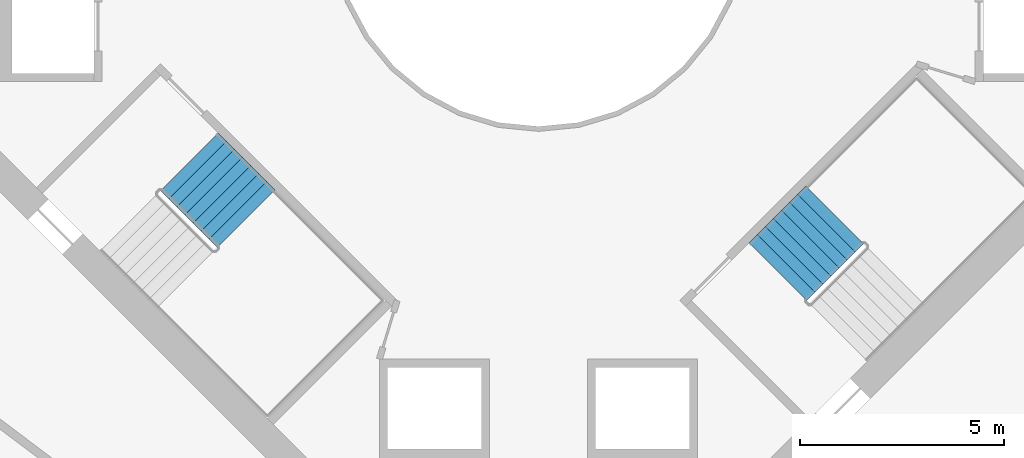
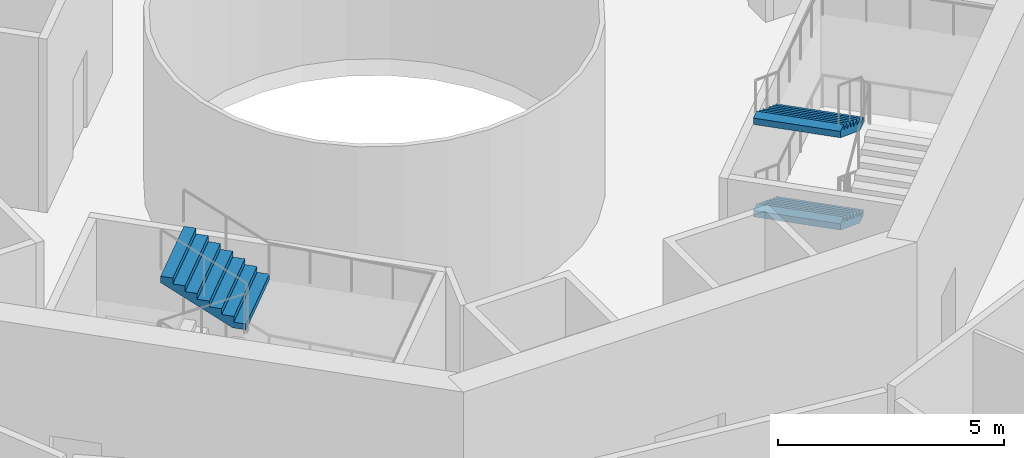
# One storey, part 13 of 17: 3 stair flights, 2 elements without a shape of their own.
"""IFC4 building model written with IfcOpenShell, lengths in metres."""

from ifc_helpers import new_model, si_unit, direction, frame, origin, place, context, subcontext, project, spatial, triangles, material, type_object, element, aggregate, save


model = new_model("IFC4")

# Units and contexts
model_context = context("Model", 3, precision=1e-05, world=origin(), true_north=direction((0.0, 1.0)))
body_context = subcontext(model_context, "Body", "Model", "MODEL_VIEW")
ifc_project = project(units=[si_unit("LENGTHUNIT", "METRE"), si_unit("AREAUNIT", "SQUARE_METRE"), si_unit("VOLUMEUNIT", "CUBIC_METRE"), si_unit("PLANEANGLEUNIT", "RADIAN"), si_unit("MASSUNIT", "GRAM", prefix="KILO")], contexts=[model_context])

# Site, building, storey
site_placement = place(None, origin())
site = spatial("IfcSite", under=ifc_project, at=site_placement, CompositionType="ELEMENT")
building_placement = place(site_placement, origin())
building = spatial("IfcBuilding", under=site, at=building_placement, Name="Verdalira Terraces Hotel", CompositionType="ELEMENT")
storey_placement = place(building_placement, frame((0.0, 0.0, 128.0)))
storey = spatial("IfcBuildingStorey", under=building, at=storey_placement, Name="L30", CompositionType="ELEMENT", Elevation=128.0)

# Stair, stair flight
ifc_material_1 = material(Name="Concrete C40", Category="concrete")
stair_type = type_object("IfcStairType", Name="Core stair 32 risers 2000 mm wide", PredefinedType="HALF_TURN_STAIR", material=ifc_material_1)
stair_1_placement = place(storey_placement, origin())
stair_1 = element("IfcStair", 1, at=stair_1_placement, inside=storey, type_object=stair_type, Name="L30 Exit stair ST2", PredefinedType="HALF_TURN_STAIR")
ifc_material_2 = material(Name="Concrete C40", Category="concrete")
stair_flight_type = type_object("IfcStairFlightType", Name="Core stair flight 32 risers 2000 mm wide", PredefinedType="STRAIGHT", material=ifc_material_2)
stair_flight_1_placement = place(storey_placement, frame((-7.170166, -7.254883, 3.75), z_axis=(0.0, 0.0, 1.0), x_axis=(-0.707106781, 0.707106781, 0.0)))
stair_flight_1 = element("IfcStairFlight", 2, at=stair_flight_1_placement, type_object=stair_flight_type, Name="ST2 flight 4", NumberOfRisers=8, NumberOfTreads=7, PredefinedType="STRAIGHT", RiserHeight=0.15625, TreadLength=0.28, context=body_context, shape_type="Tessellation", body=[
    triangles([(0.0, 1.0, 0.0), (0.307617, 1.0, 0.0), (1.959961, 1.0, 0.922119), (0.0, -1.0, 0.0), (0.307617, -1.0, 0.0), (1.959961, -1.0, 0.922119), (1.959961, 1.0, 1.09375), (1.679932, 1.0, 1.09375), (1.959961, -1.0, 1.09375), (1.679932, -1.0, 1.09375), (1.679932, 1.0, 0.9375), (1.679932, -1.0, 0.9375), (1.399902, 1.0, 0.9375), (1.399902, -1.0, 0.9375), (1.399902, 1.0, 0.78125), (1.399902, -1.0, 0.78125), (1.120117, 1.0, 0.78125), (1.120117, 1.0, 0.625), (1.120117, -1.0, 0.78125), (1.120117, -1.0, 0.625), (0.840088, 1.0, 0.625), (0.840088, 1.0, 0.46875), (0.840088, -1.0, 0.625), (0.840088, -1.0, 0.46875), (0.560059, 1.0, 0.46875), (0.560059, 1.0, 0.3125), (0.560059, -1.0, 0.46875), (0.560059, -1.0, 0.3125), (0.280029, 1.0, 0.3125), (0.280029, 1.0, 0.15625), (0.280029, -1.0, 0.3125), (0.280029, -1.0, 0.15625), (0.0, 1.0, 0.15625), (0.0, -1.0, 0.15625), (0.0, -0.9375, 0.0), (0.0, -0.9375, 0.15625), (0.0, -0.875, 0.0), (0.0, -0.875, 0.15625), (0.0, -0.8125, 0.0), (0.0, -0.8125, 0.15625), (0.0, -0.75, 0.0), (0.0, -0.75, 0.15625), (0.0, -0.6875, 0.0), (0.0, -0.6875, 0.15625), (0.0, -0.625, 0.0), (0.0, -0.625, 0.15625), (0.0, -0.5625, 0.0), (0.0, -0.5625, 0.15625), (0.0, -0.5, 0.0), (0.0, -0.5, 0.15625), (0.0, -0.4375, 0.0), (0.0, -0.4375, 0.15625), (0.0, -0.375, 0.0), (0.0, -0.375, 0.15625), (0.0, -0.3125, 0.0), (0.0, -0.3125, 0.15625), (0.0, -0.25, 0.0), (0.0, -0.25, 0.15625), (0.0, -0.1875, 0.0), (0.0, -0.1875, 0.15625), (0.0, -0.125, 0.0), (0.0, -0.125, 0.15625), (0.0, -0.0625, 0.0), (0.0, -0.0625, 0.15625), (0.0, 0.0, 0.0), (0.0, 0.0, 0.15625), (0.0, 0.0625, 0.0), (0.0, 0.0625, 0.15625), (0.0, 0.125, 0.0), (0.0, 0.125, 0.15625), (0.0, 0.1875, 0.0), (0.0, 0.1875, 0.15625), (0.0, 0.25, 0.0), (0.0, 0.25, 0.15625), (0.0, 0.3125, 0.0), (0.0, 0.3125, 0.15625), (0.0, 0.375, 0.0), (0.0, 0.375, 0.15625), (0.0, 0.4375, 0.0), (0.0, 0.4375, 0.15625), (0.0, 0.5, 0.0), (0.0, 0.5, 0.15625), (0.0, 0.5625, 0.0), (0.0, 0.5625, 0.15625), (0.0, 0.625, 0.0), (0.0, 0.625, 0.15625), (0.0, 0.6875, 0.0), (0.0, 0.6875, 0.15625), (0.0, 0.75, 0.0), (0.0, 0.75, 0.15625), (0.0, 0.8125, 0.0), (0.0, 0.8125, 0.15625), (0.0, 0.875, 0.0), (0.0, 0.875, 0.15625), (0.0, 0.9375, 0.0), (0.0, 0.9375, 0.15625), (1.959961, -0.9375, 1.09375), (1.959961, -0.875, 1.09375), (1.959961, -0.8125, 1.09375), (1.959961, -0.75, 1.09375), (1.959961, -0.6875, 1.09375), (1.959961, -0.625, 1.09375), (1.959961, -0.5625, 1.09375), (1.959961, -0.5, 1.09375), (1.959961, -0.4375, 1.09375), (1.959961, -0.375, 1.09375), (1.959961, -0.3125, 1.09375), (1.959961, -0.25, 1.09375), (1.959961, -0.1875, 1.09375), (1.959961, -0.125, 1.09375), (1.959961, -0.0625, 1.09375), (1.959961, 0.0, 1.09375), (1.959961, 0.0625, 1.09375), (1.959961, 0.125, 1.09375), (1.959961, 0.1875, 1.09375), (1.959961, 0.25, 1.09375), (1.959961, 0.3125, 1.09375), (1.959961, 0.375, 1.09375), (1.959961, 0.4375, 1.09375), (1.959961, 0.5, 1.09375), (1.959961, 0.5625, 1.09375), (1.959961, 0.625, 1.09375), (1.959961, 0.6875, 1.09375), (1.959961, 0.75, 1.09375), (1.959961, 0.8125, 1.09375), (1.959961, 0.875, 1.09375), (1.959961, 0.9375, 1.09375), (1.959961, -0.9375, 0.922119), (1.959961, -0.875, 0.922119), (1.959961, -0.8125, 0.922119), (1.959961, -0.75, 0.922119), (1.959961, -0.6875, 0.922119), (1.959961, -0.625, 0.922119), (1.959961, -0.5625, 0.922119), (1.959961, -0.5, 0.922119), (1.959961, -0.4375, 0.922119), (1.959961, -0.375, 0.922119), (1.959961, -0.3125, 0.922119), (1.959961, -0.25, 0.922119), (1.959961, -0.1875, 0.922119), (1.959961, -0.125, 0.922119), (1.959961, -0.0625, 0.922119), (1.959961, 0.0, 0.922119), (1.959961, 0.0625, 0.922119), (1.959961, 0.125, 0.922119), (1.959961, 0.1875, 0.922119), (1.959961, 0.25, 0.922119), (1.959961, 0.3125, 0.922119), (1.959961, 0.375, 0.922119), (1.959961, 0.4375, 0.922119), (1.959961, 0.5, 0.922119), (1.959961, 0.5625, 0.922119), (1.959961, 0.625, 0.922119), (1.959961, 0.6875, 0.922119), (1.959961, 0.75, 0.922119), (1.959961, 0.8125, 0.922119), (1.959961, 0.875, 0.922119), (1.959961, 0.9375, 0.922119)], [[1, 3, 2], [4, 5, 6], [3, 8, 7], [6, 9, 10], [3, 11, 8], [6, 10, 12], [3, 13, 11], [6, 12, 14], [3, 15, 13], [6, 14, 16], [15, 18, 17], [16, 19, 20], [3, 18, 15], [6, 16, 20], [18, 22, 21], [20, 23, 24], [3, 22, 18], [6, 20, 24], [22, 26, 25], [24, 27, 28], [3, 26, 22], [6, 24, 28], [26, 30, 29], [28, 31, 32], [3, 30, 26], [6, 28, 32], [1, 30, 3], [4, 6, 32], [30, 1, 33], [32, 34, 4], [4, 36, 35], [4, 34, 36], [35, 38, 37], [35, 36, 38], [37, 40, 39], [37, 38, 40], [39, 42, 41], [39, 40, 42], [41, 44, 43], [41, 42, 44], [43, 46, 45], [43, 44, 46], [45, 48, 47], [45, 46, 48], [47, 50, 49], [47, 48, 50], [49, 52, 51], [49, 50, 52], [51, 54, 53], [51, 52, 54], [53, 56, 55], [53, 54, 56], [55, 58, 57], [55, 56, 58], [57, 60, 59], [57, 58, 60], [59, 62, 61], [59, 60, 62], [61, 64, 63], [61, 62, 64], [63, 66, 65], [63, 64, 66], [65, 68, 67], [65, 66, 68], [67, 70, 69], [67, 68, 70], [69, 72, 71], [69, 70, 72], [71, 74, 73], [71, 72, 74], [73, 76, 75], [73, 74, 76], [75, 78, 77], [75, 76, 78], [77, 80, 79], [77, 78, 80], [79, 82, 81], [79, 80, 82], [81, 84, 83], [81, 82, 84], [83, 86, 85], [83, 84, 86], [85, 88, 87], [85, 86, 88], [87, 90, 89], [87, 88, 90], [89, 92, 91], [89, 90, 92], [91, 94, 93], [91, 92, 94], [93, 96, 95], [93, 94, 96], [95, 33, 1], [95, 96, 33], [34, 32, 36], [36, 32, 38], [38, 32, 40], [40, 32, 42], [42, 32, 44], [44, 32, 46], [46, 32, 48], [48, 32, 50], [50, 32, 52], [52, 32, 54], [54, 32, 56], [56, 32, 58], [58, 32, 60], [60, 32, 62], [62, 32, 64], [64, 32, 66], [66, 32, 68], [68, 32, 70], [70, 32, 72], [72, 32, 74], [74, 32, 76], [76, 32, 78], [78, 32, 80], [80, 32, 82], [82, 32, 84], [84, 32, 86], [86, 32, 88], [88, 32, 90], [90, 32, 92], [92, 32, 94], [94, 32, 96], [96, 32, 33], [33, 32, 30], [32, 29, 30], [32, 31, 29], [31, 26, 29], [31, 28, 26], [28, 25, 26], [28, 27, 25], [27, 22, 25], [27, 24, 22], [24, 21, 22], [24, 23, 21], [23, 18, 21], [23, 20, 18], [20, 17, 18], [20, 19, 17], [19, 15, 17], [19, 16, 15], [16, 13, 15], [16, 14, 13], [14, 11, 13], [14, 12, 11], [12, 8, 11], [12, 10, 8], [9, 97, 10], [97, 98, 10], [98, 99, 10], [99, 100, 10], [100, 101, 10], [101, 102, 10], [102, 103, 10], [103, 104, 10], [104, 105, 10], [105, 106, 10], [106, 107, 10], [107, 108, 10], [108, 109, 10], [109, 110, 10], [110, 111, 10], [111, 112, 10], [112, 113, 10], [113, 114, 10], [114, 115, 10], [115, 116, 10], [116, 117, 10], [117, 118, 10], [118, 119, 10], [119, 120, 10], [120, 121, 10], [121, 122, 10], [122, 123, 10], [123, 124, 10], [124, 125, 10], [125, 126, 10], [126, 127, 10], [127, 7, 10], [7, 8, 10], [9, 128, 97], [9, 6, 128], [97, 129, 98], [97, 128, 129], [98, 130, 99], [98, 129, 130], [99, 131, 100], [99, 130, 131], [100, 132, 101], [100, 131, 132], [101, 133, 102], [101, 132, 133], [102, 134, 103], [102, 133, 134], [103, 135, 104], [103, 134, 135], [104, 136, 105], [104, 135, 136], [105, 137, 106], [105, 136, 137], [106, 138, 107], [106, 137, 138], [107, 139, 108], [107, 138, 139], [108, 140, 109], [108, 139, 140], [109, 141, 110], [109, 140, 141], [110, 142, 111], [110, 141, 142], [111, 143, 112], [111, 142, 143], [112, 144, 113], [112, 143, 144], [113, 145, 114], [113, 144, 145], [114, 146, 115], [114, 145, 146], [115, 147, 116], [115, 146, 147], [116, 148, 117], [116, 147, 148], [117, 149, 118], [117, 148, 149], [118, 150, 119], [118, 149, 150], [119, 151, 120], [119, 150, 151], [120, 152, 121], [120, 151, 152], [121, 153, 122], [121, 152, 153], [122, 154, 123], [122, 153, 154], [123, 155, 124], [123, 154, 155], [124, 156, 125], [124, 155, 156], [125, 157, 126], [125, 156, 157], [126, 158, 127], [126, 157, 158], [127, 3, 7], [127, 158, 3], [6, 5, 128], [128, 5, 129], [129, 5, 130], [130, 5, 131], [131, 5, 132], [132, 5, 133], [133, 5, 134], [134, 5, 135], [135, 5, 136], [136, 5, 137], [137, 5, 138], [138, 5, 139], [139, 5, 140], [140, 5, 141], [141, 5, 142], [142, 5, 143], [143, 5, 144], [144, 5, 145], [145, 5, 146], [146, 5, 147], [147, 5, 148], [148, 5, 149], [149, 5, 150], [150, 5, 151], [151, 5, 152], [152, 5, 153], [153, 5, 154], [154, 5, 155], [155, 5, 156], [156, 5, 157], [157, 5, 158], [158, 5, 3], [3, 5, 2], [4, 35, 5], [35, 37, 5], [37, 39, 5], [39, 41, 5], [41, 43, 5], [43, 45, 5], [45, 47, 5], [47, 49, 5], [49, 51, 5], [51, 53, 5], [53, 55, 5], [55, 57, 5], [57, 59, 5], [59, 61, 5], [61, 63, 5], [63, 65, 5], [65, 67, 5], [67, 69, 5], [69, 71, 5], [71, 73, 5], [73, 75, 5], [75, 77, 5], [77, 79, 5], [79, 81, 5], [81, 83, 5], [83, 85, 5], [85, 87, 5], [87, 89, 5], [89, 91, 5], [91, 93, 5], [93, 95, 5], [95, 1, 5], [1, 2, 5]], closed=True),
])
aggregate(stair_1, [stair_flight_1])

# Stair, stair flights
stair_2_placement = place(storey_placement, origin())
stair_2 = element("IfcStair", 3, at=stair_2_placement, inside=storey, type_object=stair_type, Name="L30 Exit stair ST3", PredefinedType="HALF_TURN_STAIR")
stair_flight_2_placement = place(storey_placement, frame((7.254883, -7.170166, 1.25), z_axis=(0.0, 0.0, 1.0), x_axis=(-0.707106781, -0.707106781, 0.0)))
stair_flight_2 = element("IfcStairFlight", 4, at=stair_flight_2_placement, type_object=stair_flight_type, Name="ST3 flight 2", NumberOfRisers=8, NumberOfTreads=7, PredefinedType="STRAIGHT", RiserHeight=0.15625, TreadLength=0.28, context=body_context, shape_type="Tessellation", body=[
    triangles([(0.0, 1.0, 0.0), (0.307617, 1.0, 0.0), (1.959961, 1.0, 0.922119), (0.0, -1.0, 0.0), (0.307617, -1.0, 0.0), (1.959961, -1.0, 0.922119), (1.959961, 1.0, 1.09375), (1.679932, 1.0, 1.09375), (1.959961, -1.0, 1.09375), (1.679932, -1.0, 1.09375), (1.679932, 1.0, 0.9375), (1.679932, -1.0, 0.9375), (1.399902, 1.0, 0.9375), (1.399902, -1.0, 0.9375), (1.399902, 1.0, 0.78125), (1.399902, -1.0, 0.78125), (1.120117, 1.0, 0.78125), (1.120117, 1.0, 0.625), (1.120117, -1.0, 0.78125), (1.120117, -1.0, 0.625), (0.840088, 1.0, 0.625), (0.840088, 1.0, 0.46875), (0.840088, -1.0, 0.625), (0.840088, -1.0, 0.46875), (0.560059, 1.0, 0.46875), (0.560059, 1.0, 0.3125), (0.560059, -1.0, 0.46875), (0.560059, -1.0, 0.3125), (0.280029, 1.0, 0.3125), (0.280029, 1.0, 0.15625), (0.280029, -1.0, 0.3125), (0.280029, -1.0, 0.15625), (0.0, 1.0, 0.15625), (0.0, -1.0, 0.15625), (0.0, -0.9375, 0.0), (0.0, -0.9375, 0.15625), (0.0, -0.875, 0.0), (0.0, -0.875, 0.15625), (0.0, -0.8125, 0.0), (0.0, -0.8125, 0.15625), (0.0, -0.75, 0.0), (0.0, -0.75, 0.15625), (0.0, -0.6875, 0.0), (0.0, -0.6875, 0.15625), (0.0, -0.625, 0.0), (0.0, -0.625, 0.15625), (0.0, -0.5625, 0.0), (0.0, -0.5625, 0.15625), (0.0, -0.5, 0.0), (0.0, -0.5, 0.15625), (0.0, -0.4375, 0.0), (0.0, -0.4375, 0.15625), (0.0, -0.375, 0.0), (0.0, -0.375, 0.15625), (0.0, -0.3125, 0.0), (0.0, -0.3125, 0.15625), (0.0, -0.25, 0.0), (0.0, -0.25, 0.15625), (0.0, -0.1875, 0.0), (0.0, -0.1875, 0.15625), (0.0, -0.125, 0.0), (0.0, -0.125, 0.15625), (0.0, -0.0625, 0.0), (0.0, -0.0625, 0.15625), (0.0, 0.0, 0.0), (0.0, 0.0, 0.15625), (0.0, 0.0625, 0.0), (0.0, 0.0625, 0.15625), (0.0, 0.125, 0.0), (0.0, 0.125, 0.15625), (0.0, 0.1875, 0.0), (0.0, 0.1875, 0.15625), (0.0, 0.25, 0.0), (0.0, 0.25, 0.15625), (0.0, 0.3125, 0.0), (0.0, 0.3125, 0.15625), (0.0, 0.375, 0.0), (0.0, 0.375, 0.15625), (0.0, 0.4375, 0.0), (0.0, 0.4375, 0.15625), (0.0, 0.5, 0.0), (0.0, 0.5, 0.15625), (0.0, 0.5625, 0.0), (0.0, 0.5625, 0.15625), (0.0, 0.625, 0.0), (0.0, 0.625, 0.15625), (0.0, 0.6875, 0.0), (0.0, 0.6875, 0.15625), (0.0, 0.75, 0.0), (0.0, 0.75, 0.15625), (0.0, 0.8125, 0.0), (0.0, 0.8125, 0.15625), (0.0, 0.875, 0.0), (0.0, 0.875, 0.15625), (0.0, 0.9375, 0.0), (0.0, 0.9375, 0.15625), (1.959961, -0.9375, 1.09375), (1.959961, -0.875, 1.09375), (1.959961, -0.8125, 1.09375), (1.959961, -0.75, 1.09375), (1.959961, -0.6875, 1.09375), (1.959961, -0.625, 1.09375), (1.959961, -0.5625, 1.09375), (1.959961, -0.5, 1.09375), (1.959961, -0.4375, 1.09375), (1.959961, -0.375, 1.09375), (1.959961, -0.3125, 1.09375), (1.959961, -0.25, 1.09375), (1.959961, -0.1875, 1.09375), (1.959961, -0.125, 1.09375), (1.959961, -0.0625, 1.09375), (1.959961, 0.0, 1.09375), (1.959961, 0.0625, 1.09375), (1.959961, 0.125, 1.09375), (1.959961, 0.1875, 1.09375), (1.959961, 0.25, 1.09375), (1.959961, 0.3125, 1.09375), (1.959961, 0.375, 1.09375), (1.959961, 0.4375, 1.09375), (1.959961, 0.5, 1.09375), (1.959961, 0.5625, 1.09375), (1.959961, 0.625, 1.09375), (1.959961, 0.6875, 1.09375), (1.959961, 0.75, 1.09375), (1.959961, 0.8125, 1.09375), (1.959961, 0.875, 1.09375), (1.959961, 0.9375, 1.09375), (1.959961, -0.9375, 0.922119), (1.959961, -0.875, 0.922119), (1.959961, -0.8125, 0.922119), (1.959961, -0.75, 0.922119), (1.959961, -0.6875, 0.922119), (1.959961, -0.625, 0.922119), (1.959961, -0.5625, 0.922119), (1.959961, -0.5, 0.922119), (1.959961, -0.4375, 0.922119), (1.959961, -0.375, 0.922119), (1.959961, -0.3125, 0.922119), (1.959961, -0.25, 0.922119), (1.959961, -0.1875, 0.922119), (1.959961, -0.125, 0.922119), (1.959961, -0.0625, 0.922119), (1.959961, 0.0, 0.922119), (1.959961, 0.0625, 0.922119), (1.959961, 0.125, 0.922119), (1.959961, 0.1875, 0.922119), (1.959961, 0.25, 0.922119), (1.959961, 0.3125, 0.922119), (1.959961, 0.375, 0.922119), (1.959961, 0.4375, 0.922119), (1.959961, 0.5, 0.922119), (1.959961, 0.5625, 0.922119), (1.959961, 0.625, 0.922119), (1.959961, 0.6875, 0.922119), (1.959961, 0.75, 0.922119), (1.959961, 0.8125, 0.922119), (1.959961, 0.875, 0.922119), (1.959961, 0.9375, 0.922119)], [[1, 3, 2], [4, 5, 6], [3, 8, 7], [6, 9, 10], [3, 11, 8], [6, 10, 12], [3, 13, 11], [6, 12, 14], [3, 15, 13], [6, 14, 16], [15, 18, 17], [16, 19, 20], [3, 18, 15], [6, 16, 20], [18, 22, 21], [20, 23, 24], [3, 22, 18], [6, 20, 24], [22, 26, 25], [24, 27, 28], [3, 26, 22], [6, 24, 28], [26, 30, 29], [28, 31, 32], [3, 30, 26], [6, 28, 32], [1, 30, 3], [4, 6, 32], [30, 1, 33], [32, 34, 4], [4, 36, 35], [4, 34, 36], [35, 38, 37], [35, 36, 38], [37, 40, 39], [37, 38, 40], [39, 42, 41], [39, 40, 42], [41, 44, 43], [41, 42, 44], [43, 46, 45], [43, 44, 46], [45, 48, 47], [45, 46, 48], [47, 50, 49], [47, 48, 50], [49, 52, 51], [49, 50, 52], [51, 54, 53], [51, 52, 54], [53, 56, 55], [53, 54, 56], [55, 58, 57], [55, 56, 58], [57, 60, 59], [57, 58, 60], [59, 62, 61], [59, 60, 62], [61, 64, 63], [61, 62, 64], [63, 66, 65], [63, 64, 66], [65, 68, 67], [65, 66, 68], [67, 70, 69], [67, 68, 70], [69, 72, 71], [69, 70, 72], [71, 74, 73], [71, 72, 74], [73, 76, 75], [73, 74, 76], [75, 78, 77], [75, 76, 78], [77, 80, 79], [77, 78, 80], [79, 82, 81], [79, 80, 82], [81, 84, 83], [81, 82, 84], [83, 86, 85], [83, 84, 86], [85, 88, 87], [85, 86, 88], [87, 90, 89], [87, 88, 90], [89, 92, 91], [89, 90, 92], [91, 94, 93], [91, 92, 94], [93, 96, 95], [93, 94, 96], [95, 33, 1], [95, 96, 33], [34, 32, 36], [36, 32, 38], [38, 32, 40], [40, 32, 42], [42, 32, 44], [44, 32, 46], [46, 32, 48], [48, 32, 50], [50, 32, 52], [52, 32, 54], [54, 32, 56], [56, 32, 58], [58, 32, 60], [60, 32, 62], [62, 32, 64], [64, 32, 66], [66, 32, 68], [68, 32, 70], [70, 32, 72], [72, 32, 74], [74, 32, 76], [76, 32, 78], [78, 32, 80], [80, 32, 82], [82, 32, 84], [84, 32, 86], [86, 32, 88], [88, 32, 90], [90, 32, 92], [92, 32, 94], [94, 32, 96], [96, 32, 33], [33, 32, 30], [32, 29, 30], [32, 31, 29], [31, 26, 29], [31, 28, 26], [28, 25, 26], [28, 27, 25], [27, 22, 25], [27, 24, 22], [24, 21, 22], [24, 23, 21], [23, 18, 21], [23, 20, 18], [20, 17, 18], [20, 19, 17], [19, 15, 17], [19, 16, 15], [16, 13, 15], [16, 14, 13], [14, 11, 13], [14, 12, 11], [12, 8, 11], [12, 10, 8], [9, 97, 10], [97, 98, 10], [98, 99, 10], [99, 100, 10], [100, 101, 10], [101, 102, 10], [102, 103, 10], [103, 104, 10], [104, 105, 10], [105, 106, 10], [106, 107, 10], [107, 108, 10], [108, 109, 10], [109, 110, 10], [110, 111, 10], [111, 112, 10], [112, 113, 10], [113, 114, 10], [114, 115, 10], [115, 116, 10], [116, 117, 10], [117, 118, 10], [118, 119, 10], [119, 120, 10], [120, 121, 10], [121, 122, 10], [122, 123, 10], [123, 124, 10], [124, 125, 10], [125, 126, 10], [126, 127, 10], [127, 7, 10], [7, 8, 10], [9, 128, 97], [9, 6, 128], [97, 129, 98], [97, 128, 129], [98, 130, 99], [98, 129, 130], [99, 131, 100], [99, 130, 131], [100, 132, 101], [100, 131, 132], [101, 133, 102], [101, 132, 133], [102, 134, 103], [102, 133, 134], [103, 135, 104], [103, 134, 135], [104, 136, 105], [104, 135, 136], [105, 137, 106], [105, 136, 137], [106, 138, 107], [106, 137, 138], [107, 139, 108], [107, 138, 139], [108, 140, 109], [108, 139, 140], [109, 141, 110], [109, 140, 141], [110, 142, 111], [110, 141, 142], [111, 143, 112], [111, 142, 143], [112, 144, 113], [112, 143, 144], [113, 145, 114], [113, 144, 145], [114, 146, 115], [114, 145, 146], [115, 147, 116], [115, 146, 147], [116, 148, 117], [116, 147, 148], [117, 149, 118], [117, 148, 149], [118, 150, 119], [118, 149, 150], [119, 151, 120], [119, 150, 151], [120, 152, 121], [120, 151, 152], [121, 153, 122], [121, 152, 153], [122, 154, 123], [122, 153, 154], [123, 155, 124], [123, 154, 155], [124, 156, 125], [124, 155, 156], [125, 157, 126], [125, 156, 157], [126, 158, 127], [126, 157, 158], [127, 3, 7], [127, 158, 3], [6, 5, 128], [128, 5, 129], [129, 5, 130], [130, 5, 131], [131, 5, 132], [132, 5, 133], [133, 5, 134], [134, 5, 135], [135, 5, 136], [136, 5, 137], [137, 5, 138], [138, 5, 139], [139, 5, 140], [140, 5, 141], [141, 5, 142], [142, 5, 143], [143, 5, 144], [144, 5, 145], [145, 5, 146], [146, 5, 147], [147, 5, 148], [148, 5, 149], [149, 5, 150], [150, 5, 151], [151, 5, 152], [152, 5, 153], [153, 5, 154], [154, 5, 155], [155, 5, 156], [156, 5, 157], [157, 5, 158], [158, 5, 3], [3, 5, 2], [4, 35, 5], [35, 37, 5], [37, 39, 5], [39, 41, 5], [41, 43, 5], [43, 45, 5], [45, 47, 5], [47, 49, 5], [49, 51, 5], [51, 53, 5], [53, 55, 5], [55, 57, 5], [57, 59, 5], [59, 61, 5], [61, 63, 5], [63, 65, 5], [65, 67, 5], [67, 69, 5], [69, 71, 5], [71, 73, 5], [73, 75, 5], [75, 77, 5], [77, 79, 5], [79, 81, 5], [81, 83, 5], [83, 85, 5], [85, 87, 5], [87, 89, 5], [89, 91, 5], [91, 93, 5], [93, 95, 5], [95, 1, 5], [1, 2, 5]], closed=True),
])
stair_flight_3_placement = place(storey_placement, frame((7.254883, -7.170166, 3.75), z_axis=(0.0, 0.0, 1.0), x_axis=(-0.707106781, -0.707106781, 0.0)))
stair_flight_3 = element("IfcStairFlight", 5, at=stair_flight_3_placement, type_object=stair_flight_type, Name="ST3 flight 4", NumberOfRisers=8, NumberOfTreads=7, PredefinedType="STRAIGHT", RiserHeight=0.15625, TreadLength=0.28, context=body_context, shape_type="Tessellation", body=[
    triangles([(0.0, 1.0, 0.0), (0.307617, 1.0, 0.0), (1.959961, 1.0, 0.922119), (0.0, -1.0, 0.0), (0.307617, -1.0, 0.0), (1.959961, -1.0, 0.922119), (1.959961, 1.0, 1.09375), (1.679932, 1.0, 1.09375), (1.959961, -1.0, 1.09375), (1.679932, -1.0, 1.09375), (1.679932, 1.0, 0.9375), (1.679932, -1.0, 0.9375), (1.399902, 1.0, 0.9375), (1.399902, -1.0, 0.9375), (1.399902, 1.0, 0.78125), (1.399902, -1.0, 0.78125), (1.120117, 1.0, 0.78125), (1.120117, 1.0, 0.625), (1.120117, -1.0, 0.78125), (1.120117, -1.0, 0.625), (0.840088, 1.0, 0.625), (0.840088, 1.0, 0.46875), (0.840088, -1.0, 0.625), (0.840088, -1.0, 0.46875), (0.560059, 1.0, 0.46875), (0.560059, 1.0, 0.3125), (0.560059, -1.0, 0.46875), (0.560059, -1.0, 0.3125), (0.280029, 1.0, 0.3125), (0.280029, 1.0, 0.15625), (0.280029, -1.0, 0.3125), (0.280029, -1.0, 0.15625), (0.0, 1.0, 0.15625), (0.0, -1.0, 0.15625), (0.0, -0.9375, 0.0), (0.0, -0.9375, 0.15625), (0.0, -0.875, 0.0), (0.0, -0.875, 0.15625), (0.0, -0.8125, 0.0), (0.0, -0.8125, 0.15625), (0.0, -0.75, 0.0), (0.0, -0.75, 0.15625), (0.0, -0.6875, 0.0), (0.0, -0.6875, 0.15625), (0.0, -0.625, 0.0), (0.0, -0.625, 0.15625), (0.0, -0.5625, 0.0), (0.0, -0.5625, 0.15625), (0.0, -0.5, 0.0), (0.0, -0.5, 0.15625), (0.0, -0.4375, 0.0), (0.0, -0.4375, 0.15625), (0.0, -0.375, 0.0), (0.0, -0.375, 0.15625), (0.0, -0.3125, 0.0), (0.0, -0.3125, 0.15625), (0.0, -0.25, 0.0), (0.0, -0.25, 0.15625), (0.0, -0.1875, 0.0), (0.0, -0.1875, 0.15625), (0.0, -0.125, 0.0), (0.0, -0.125, 0.15625), (0.0, -0.0625, 0.0), (0.0, -0.0625, 0.15625), (0.0, 0.0, 0.0), (0.0, 0.0, 0.15625), (0.0, 0.0625, 0.0), (0.0, 0.0625, 0.15625), (0.0, 0.125, 0.0), (0.0, 0.125, 0.15625), (0.0, 0.1875, 0.0), (0.0, 0.1875, 0.15625), (0.0, 0.25, 0.0), (0.0, 0.25, 0.15625), (0.0, 0.3125, 0.0), (0.0, 0.3125, 0.15625), (0.0, 0.375, 0.0), (0.0, 0.375, 0.15625), (0.0, 0.4375, 0.0), (0.0, 0.4375, 0.15625), (0.0, 0.5, 0.0), (0.0, 0.5, 0.15625), (0.0, 0.5625, 0.0), (0.0, 0.5625, 0.15625), (0.0, 0.625, 0.0), (0.0, 0.625, 0.15625), (0.0, 0.6875, 0.0), (0.0, 0.6875, 0.15625), (0.0, 0.75, 0.0), (0.0, 0.75, 0.15625), (0.0, 0.8125, 0.0), (0.0, 0.8125, 0.15625), (0.0, 0.875, 0.0), (0.0, 0.875, 0.15625), (0.0, 0.9375, 0.0), (0.0, 0.9375, 0.15625), (1.959961, -0.9375, 1.09375), (1.959961, -0.875, 1.09375), (1.959961, -0.8125, 1.09375), (1.959961, -0.75, 1.09375), (1.959961, -0.6875, 1.09375), (1.959961, -0.625, 1.09375), (1.959961, -0.5625, 1.09375), (1.959961, -0.5, 1.09375), (1.959961, -0.4375, 1.09375), (1.959961, -0.375, 1.09375), (1.959961, -0.3125, 1.09375), (1.959961, -0.25, 1.09375), (1.959961, -0.1875, 1.09375), (1.959961, -0.125, 1.09375), (1.959961, -0.0625, 1.09375), (1.959961, 0.0, 1.09375), (1.959961, 0.0625, 1.09375), (1.959961, 0.125, 1.09375), (1.959961, 0.1875, 1.09375), (1.959961, 0.25, 1.09375), (1.959961, 0.3125, 1.09375), (1.959961, 0.375, 1.09375), (1.959961, 0.4375, 1.09375), (1.959961, 0.5, 1.09375), (1.959961, 0.5625, 1.09375), (1.959961, 0.625, 1.09375), (1.959961, 0.6875, 1.09375), (1.959961, 0.75, 1.09375), (1.959961, 0.8125, 1.09375), (1.959961, 0.875, 1.09375), (1.959961, 0.9375, 1.09375), (1.959961, -0.9375, 0.922119), (1.959961, -0.875, 0.922119), (1.959961, -0.8125, 0.922119), (1.959961, -0.75, 0.922119), (1.959961, -0.6875, 0.922119), (1.959961, -0.625, 0.922119), (1.959961, -0.5625, 0.922119), (1.959961, -0.5, 0.922119), (1.959961, -0.4375, 0.922119), (1.959961, -0.375, 0.922119), (1.959961, -0.3125, 0.922119), (1.959961, -0.25, 0.922119), (1.959961, -0.1875, 0.922119), (1.959961, -0.125, 0.922119), (1.959961, -0.0625, 0.922119), (1.959961, 0.0, 0.922119), (1.959961, 0.0625, 0.922119), (1.959961, 0.125, 0.922119), (1.959961, 0.1875, 0.922119), (1.959961, 0.25, 0.922119), (1.959961, 0.3125, 0.922119), (1.959961, 0.375, 0.922119), (1.959961, 0.4375, 0.922119), (1.959961, 0.5, 0.922119), (1.959961, 0.5625, 0.922119), (1.959961, 0.625, 0.922119), (1.959961, 0.6875, 0.922119), (1.959961, 0.75, 0.922119), (1.959961, 0.8125, 0.922119), (1.959961, 0.875, 0.922119), (1.959961, 0.9375, 0.922119)], [[1, 3, 2], [4, 5, 6], [3, 8, 7], [6, 9, 10], [3, 11, 8], [6, 10, 12], [3, 13, 11], [6, 12, 14], [3, 15, 13], [6, 14, 16], [15, 18, 17], [16, 19, 20], [3, 18, 15], [6, 16, 20], [18, 22, 21], [20, 23, 24], [3, 22, 18], [6, 20, 24], [22, 26, 25], [24, 27, 28], [3, 26, 22], [6, 24, 28], [26, 30, 29], [28, 31, 32], [3, 30, 26], [6, 28, 32], [1, 30, 3], [4, 6, 32], [30, 1, 33], [32, 34, 4], [4, 36, 35], [4, 34, 36], [35, 38, 37], [35, 36, 38], [37, 40, 39], [37, 38, 40], [39, 42, 41], [39, 40, 42], [41, 44, 43], [41, 42, 44], [43, 46, 45], [43, 44, 46], [45, 48, 47], [45, 46, 48], [47, 50, 49], [47, 48, 50], [49, 52, 51], [49, 50, 52], [51, 54, 53], [51, 52, 54], [53, 56, 55], [53, 54, 56], [55, 58, 57], [55, 56, 58], [57, 60, 59], [57, 58, 60], [59, 62, 61], [59, 60, 62], [61, 64, 63], [61, 62, 64], [63, 66, 65], [63, 64, 66], [65, 68, 67], [65, 66, 68], [67, 70, 69], [67, 68, 70], [69, 72, 71], [69, 70, 72], [71, 74, 73], [71, 72, 74], [73, 76, 75], [73, 74, 76], [75, 78, 77], [75, 76, 78], [77, 80, 79], [77, 78, 80], [79, 82, 81], [79, 80, 82], [81, 84, 83], [81, 82, 84], [83, 86, 85], [83, 84, 86], [85, 88, 87], [85, 86, 88], [87, 90, 89], [87, 88, 90], [89, 92, 91], [89, 90, 92], [91, 94, 93], [91, 92, 94], [93, 96, 95], [93, 94, 96], [95, 33, 1], [95, 96, 33], [34, 32, 36], [36, 32, 38], [38, 32, 40], [40, 32, 42], [42, 32, 44], [44, 32, 46], [46, 32, 48], [48, 32, 50], [50, 32, 52], [52, 32, 54], [54, 32, 56], [56, 32, 58], [58, 32, 60], [60, 32, 62], [62, 32, 64], [64, 32, 66], [66, 32, 68], [68, 32, 70], [70, 32, 72], [72, 32, 74], [74, 32, 76], [76, 32, 78], [78, 32, 80], [80, 32, 82], [82, 32, 84], [84, 32, 86], [86, 32, 88], [88, 32, 90], [90, 32, 92], [92, 32, 94], [94, 32, 96], [96, 32, 33], [33, 32, 30], [32, 29, 30], [32, 31, 29], [31, 26, 29], [31, 28, 26], [28, 25, 26], [28, 27, 25], [27, 22, 25], [27, 24, 22], [24, 21, 22], [24, 23, 21], [23, 18, 21], [23, 20, 18], [20, 17, 18], [20, 19, 17], [19, 15, 17], [19, 16, 15], [16, 13, 15], [16, 14, 13], [14, 11, 13], [14, 12, 11], [12, 8, 11], [12, 10, 8], [9, 97, 10], [97, 98, 10], [98, 99, 10], [99, 100, 10], [100, 101, 10], [101, 102, 10], [102, 103, 10], [103, 104, 10], [104, 105, 10], [105, 106, 10], [106, 107, 10], [107, 108, 10], [108, 109, 10], [109, 110, 10], [110, 111, 10], [111, 112, 10], [112, 113, 10], [113, 114, 10], [114, 115, 10], [115, 116, 10], [116, 117, 10], [117, 118, 10], [118, 119, 10], [119, 120, 10], [120, 121, 10], [121, 122, 10], [122, 123, 10], [123, 124, 10], [124, 125, 10], [125, 126, 10], [126, 127, 10], [127, 7, 10], [7, 8, 10], [9, 128, 97], [9, 6, 128], [97, 129, 98], [97, 128, 129], [98, 130, 99], [98, 129, 130], [99, 131, 100], [99, 130, 131], [100, 132, 101], [100, 131, 132], [101, 133, 102], [101, 132, 133], [102, 134, 103], [102, 133, 134], [103, 135, 104], [103, 134, 135], [104, 136, 105], [104, 135, 136], [105, 137, 106], [105, 136, 137], [106, 138, 107], [106, 137, 138], [107, 139, 108], [107, 138, 139], [108, 140, 109], [108, 139, 140], [109, 141, 110], [109, 140, 141], [110, 142, 111], [110, 141, 142], [111, 143, 112], [111, 142, 143], [112, 144, 113], [112, 143, 144], [113, 145, 114], [113, 144, 145], [114, 146, 115], [114, 145, 146], [115, 147, 116], [115, 146, 147], [116, 148, 117], [116, 147, 148], [117, 149, 118], [117, 148, 149], [118, 150, 119], [118, 149, 150], [119, 151, 120], [119, 150, 151], [120, 152, 121], [120, 151, 152], [121, 153, 122], [121, 152, 153], [122, 154, 123], [122, 153, 154], [123, 155, 124], [123, 154, 155], [124, 156, 125], [124, 155, 156], [125, 157, 126], [125, 156, 157], [126, 158, 127], [126, 157, 158], [127, 3, 7], [127, 158, 3], [6, 5, 128], [128, 5, 129], [129, 5, 130], [130, 5, 131], [131, 5, 132], [132, 5, 133], [133, 5, 134], [134, 5, 135], [135, 5, 136], [136, 5, 137], [137, 5, 138], [138, 5, 139], [139, 5, 140], [140, 5, 141], [141, 5, 142], [142, 5, 143], [143, 5, 144], [144, 5, 145], [145, 5, 146], [146, 5, 147], [147, 5, 148], [148, 5, 149], [149, 5, 150], [150, 5, 151], [151, 5, 152], [152, 5, 153], [153, 5, 154], [154, 5, 155], [155, 5, 156], [156, 5, 157], [157, 5, 158], [158, 5, 3], [3, 5, 2], [4, 35, 5], [35, 37, 5], [37, 39, 5], [39, 41, 5], [41, 43, 5], [43, 45, 5], [45, 47, 5], [47, 49, 5], [49, 51, 5], [51, 53, 5], [53, 55, 5], [55, 57, 5], [57, 59, 5], [59, 61, 5], [61, 63, 5], [63, 65, 5], [65, 67, 5], [67, 69, 5], [69, 71, 5], [71, 73, 5], [73, 75, 5], [75, 77, 5], [77, 79, 5], [79, 81, 5], [81, 83, 5], [83, 85, 5], [85, 87, 5], [87, 89, 5], [89, 91, 5], [91, 93, 5], [93, 95, 5], [95, 1, 5], [1, 2, 5]], closed=True),
])
aggregate(stair_2, [stair_flight_2, stair_flight_3])

save(model, "model.ifc")
